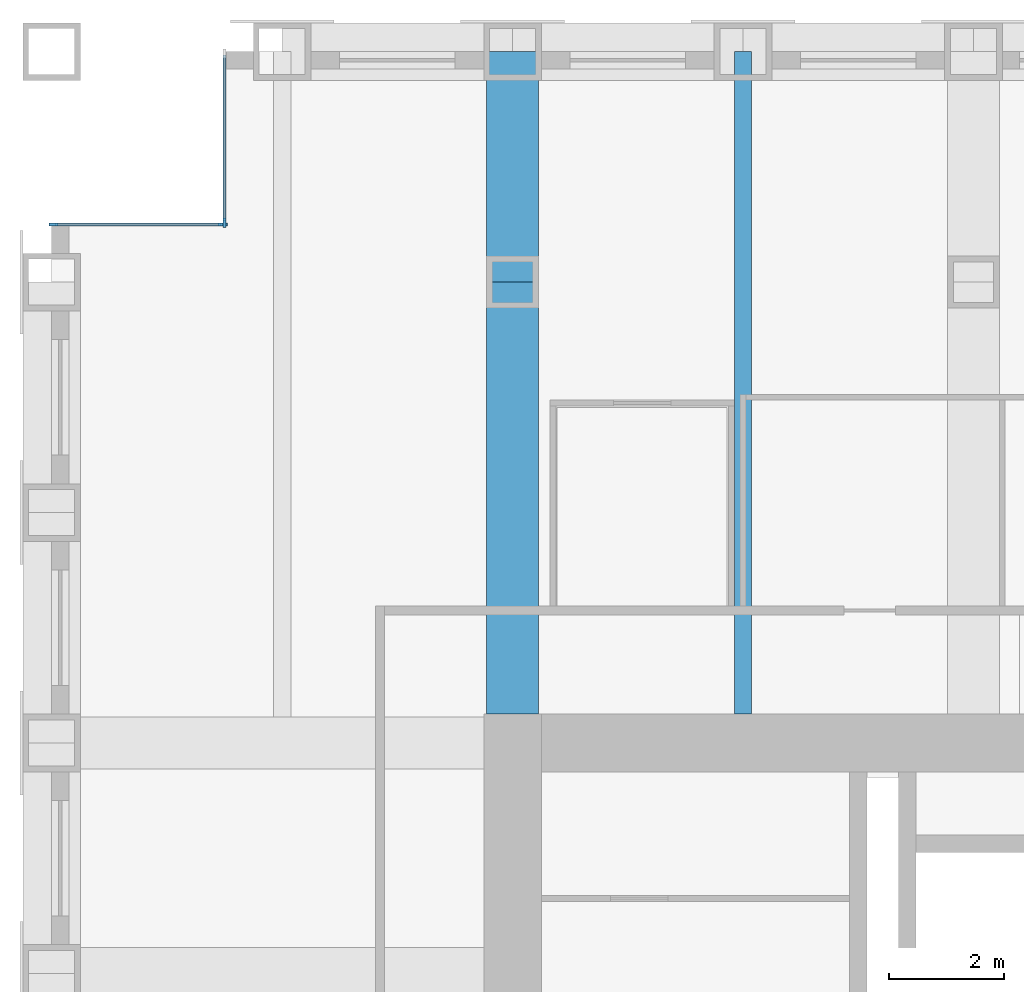
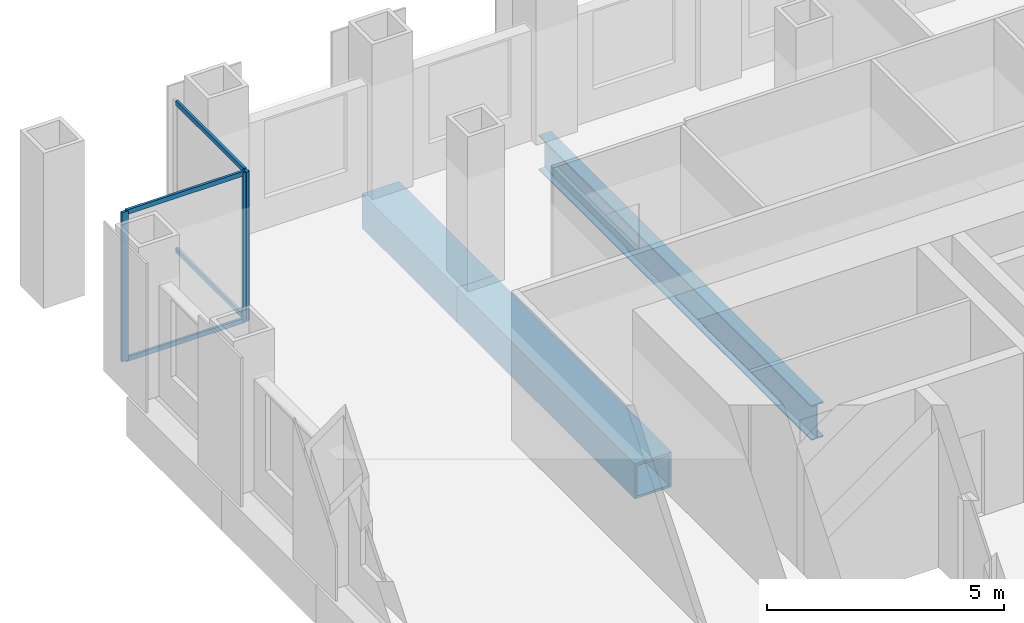
# One storey, part 6 of 16: 7 members, 3 beams, 2 elements without a shape of their own.
"""IFC4 building model written with IfcOpenShell, lengths in metres."""

from ifc_helpers import new_model, si_unit, direction, frame, origin, origin_2d, place, context, subcontext, project, spatial, rectangle, hollow_rectangle, i_section, extrude, material, material_profile, profile_set, type_object, element, aggregate, save


model = new_model("IFC4")

# Units and contexts
model_context = context("Model", 3, precision=1e-05, world=origin(), true_north=direction((0.0, 1.0)))
body_context = subcontext(model_context, "Body", "Model", "MODEL_VIEW")
ifc_project = project(units=[si_unit("LENGTHUNIT", "METRE"), si_unit("AREAUNIT", "SQUARE_METRE"), si_unit("VOLUMEUNIT", "CUBIC_METRE"), si_unit("PLANEANGLEUNIT", "RADIAN"), si_unit("MASSUNIT", "GRAM", prefix="KILO")], contexts=[model_context])

# Site, building, storey
site_placement = place(None, origin())
site = spatial("IfcSite", under=ifc_project, at=site_placement, CompositionType="ELEMENT")
building_placement = place(site_placement, origin())
building = spatial("IfcBuilding", under=site, at=building_placement, Name="Rimbunsela Tower", CompositionType="ELEMENT")
storey_placement = place(building_placement, frame((0.0, 0.0, 97.39990234375)))
storey = spatial("IfcBuildingStorey", under=building, at=storey_placement, Name="L23", CompositionType="ELEMENT", Elevation=97.39990234375)

# Beams
ifc_material_1 = material(Name="Steel BJ 55 (fy 410 MPa)", Category="steel")
ifc_material_profile_1 = material_profile(ifc_material_1, hollow_rectangle(XDim=0.89990234375, YDim=0.89990234375, WallThickness=0.06005859375, at=origin_2d()), Name="BOX 900x900x60")
ifc_profile_set_1 = profile_set([ifc_material_profile_1], Name="Steel BJ 55 (fy 410 MPa)")
beam_type_1 = type_object("IfcBeamType", Name="Beam BOX 900x900x60", PredefinedType="BEAM", material=ifc_profile_set_1)
beam_1_placement = place(storey_placement, frame((18.0, 36.5, -0.599853515625), z_axis=(0.0, 1.0, 0.0), x_axis=(-1.0, 0.0, 0.0)))
element("IfcBeam", 1, at=beam_1_placement, inside=storey, type_object=beam_type_1, Name="Beam B1 L23", PredefinedType="BEAM", context=body_context, shape_type="SweptSolid", body=[
    extrude(hollow_rectangle(XDim=0.89990234375, YDim=0.89990234375, WallThickness=0.06005859375, at=origin_2d()), origin(), (0.0, 0.0, 1.0), 7.5),
])
beam_2_placement = place(storey_placement, frame((18.0, 44.0, -0.599853515625), z_axis=(0.0, 1.0, 0.0), x_axis=(-1.0, 0.0, 0.0)))
element("IfcBeam", 2, at=beam_2_placement, inside=storey, type_object=beam_type_1, Name="Beam B1 L23", PredefinedType="BEAM", context=body_context, shape_type="SweptSolid", body=[
    extrude(hollow_rectangle(XDim=0.89990234375, YDim=0.89990234375, WallThickness=0.06005859375, at=origin_2d()), origin(), (0.0, 0.0, 1.0), 4.0),
])
ifc_material_2 = material(Name="Steel BJ 55 (fy 410 MPa)", Category="steel")
ifc_material_profile_2 = material_profile(ifc_material_2, i_section(OverallWidth=0.300048828125, OverallDepth=0.89990234375, WebThickness=0.01611328125, FlangeThickness=0.028076171875, FilletRadius=0.028076171875, at=origin_2d()), Name="H 900x300x16x28")
ifc_profile_set_2 = profile_set([ifc_material_profile_2], Name="Steel BJ 55 (fy 410 MPa)")
beam_type_2 = type_object("IfcBeamType", Name="Beam H 900x300x16x28", PredefinedType="BEAM", material=ifc_profile_set_2)
beam_3_placement = place(storey_placement, frame((22.0, 36.5, -0.599853515625), z_axis=(0.0, 1.0, 0.0), x_axis=(-1.0, 0.0, 0.0)))
element("IfcBeam", 3, at=beam_3_placement, inside=storey, type_object=beam_type_2, Name="Beam B2 L23", PredefinedType="BEAM", context=body_context, shape_type="SweptSolid", body=[
    extrude(i_section(OverallWidth=0.300048828125, OverallDepth=0.89990234375, WebThickness=0.01611328125, FlangeThickness=0.028076171875, FilletRadius=0.028076171875, at=origin_2d()), origin(), (0.0, 0.0, 1.0), 11.5),
])

# Curtain wall, member
ifc_material_3 = material(Name="Aluminium curtain wall", Category="aluminium")
curtain_wall_type = type_object("IfcCurtainWallType", Name="Corner glazing", PredefinedType="USERDEFINED", material=ifc_material_3)
curtain_wall_1_placement = place(storey_placement, origin())
curtain_wall_1 = element("IfcCurtainWall", 4, at=curtain_wall_1_placement, inside=storey, type_object=curtain_wall_type, Name="Corner glazing L23", ObjectType="CORNER GLAZING", PredefinedType="USERDEFINED")
ifc_material_4 = material(Name="Aluminium mullion", Category="aluminium")
ifc_material_profile_3 = material_profile(ifc_material_4, rectangle(XDim=0.06005859375, YDim=0.159912109375, at=origin_2d()), Name="Mullion 60x160")
ifc_profile_set_3 = profile_set([ifc_material_profile_3], Name="Aluminium mullion")
member_type_1 = type_object("IfcMemberType", Name="Curtain wall mullion 60x160", PredefinedType="MULLION", material=ifc_profile_set_3)
member_1_placement = place(storey_placement, frame((13.0, 45.030029296875, 0.0), z_axis=(0.0, 0.0, 1.0), x_axis=(1.0, 0.0, 0.0)))
member_1 = element("IfcMember", 5, at=member_1_placement, type_object=member_type_1, Name="CW5 mullion 2", PredefinedType="MULLION", context=body_context, shape_type="SweptSolid", body=[
    extrude(rectangle(XDim=0.06005859375, YDim=0.159912109375, at=origin_2d()), origin(), (0.0, 0.0, 1.0), 3.85009765625),
])

# Curtain wall, members
curtain_wall_2_placement = place(storey_placement, origin())
curtain_wall_2 = element("IfcCurtainWall", 6, at=curtain_wall_2_placement, inside=storey, type_object=curtain_wall_type, Name="Corner glazing L23", ObjectType="CORNER GLAZING", PredefinedType="USERDEFINED")
member_2_placement = place(storey_placement, frame((12.969970703125, 45.0, 0.0), z_axis=(0.0, 0.0, 1.0), x_axis=(0.0, -1.0, 0.0)))
member_2 = element("IfcMember", 7, at=member_2_placement, type_object=member_type_1, Name="CW5 mullion 1", PredefinedType="MULLION", context=body_context, shape_type="SweptSolid", body=[
    extrude(rectangle(XDim=0.06005859375, YDim=0.159912109375, at=origin_2d()), origin(), (0.0, 0.0, 1.0), 3.85009765625),
])
member_3_placement = place(storey_placement, frame((10.030029296875, 45.0, 0.0), z_axis=(0.0, 0.0, 1.0), x_axis=(0.0, -1.0, 0.0)))
member_3 = element("IfcMember", 8, at=member_3_placement, type_object=member_type_1, Name="CW5 mullion 2", PredefinedType="MULLION", context=body_context, shape_type="SweptSolid", body=[
    extrude(rectangle(XDim=0.06005859375, YDim=0.159912109375, at=origin_2d()), origin(), (0.0, 0.0, 1.0), 3.85009765625),
])

# Member
ifc_material_5 = material(Name="Aluminium transom", Category="aluminium")
ifc_material_profile_4 = material_profile(ifc_material_5, rectangle(XDim=0.06005859375, YDim=0.1201171875, at=origin_2d()), Name="Transom 60x120")
ifc_profile_set_4 = profile_set([ifc_material_profile_4], Name="Aluminium transom")
member_type_2 = type_object("IfcMemberType", Name="Curtain wall transom 60x120", PredefinedType="USERDEFINED", material=ifc_profile_set_4)
member_4_placement = place(storey_placement, frame((13.0, 47.93994140625, 0.030029296875), z_axis=(0.0, -1.0, 0.0), x_axis=(1.0, 0.0, 0.0)))
member_4 = element("IfcMember", 9, at=member_4_placement, type_object=member_type_2, Name="CW5 transom 1.1", ObjectType="TRANSOM", PredefinedType="USERDEFINED", context=body_context, shape_type="SweptSolid", body=[
    extrude(rectangle(XDim=0.06005859375, YDim=0.1201171875, at=origin_2d()), origin(), (0.0, 0.0, 1.0), 2.8798828125),
])

member_5_placement = place(storey_placement, frame((13.0, 47.93994140625, 3.820068359375), z_axis=(0.0, -1.0, 0.0), x_axis=(1.0, 0.0, 0.0)))
member_5 = element("IfcMember", 10, at=member_5_placement, type_object=member_type_2, Name="CW5 transom 1.2", ObjectType="TRANSOM", PredefinedType="USERDEFINED", context=body_context, shape_type="SweptSolid", body=[
    extrude(rectangle(XDim=0.06005859375, YDim=0.1201171875, at=origin_2d()), origin(), (0.0, 0.0, 1.0), 2.8798828125),
])

aggregate(curtain_wall_1, [member_1, member_4, member_5])

member_6_placement = place(storey_placement, frame((12.93994140625, 45.0, 0.030029296875), z_axis=(-1.0, 0.0, 0.0), x_axis=(0.0, -1.0, 0.0)))
member_6 = element("IfcMember", 11, at=member_6_placement, type_object=member_type_2, Name="CW5 transom 1.1", ObjectType="TRANSOM", PredefinedType="USERDEFINED", context=body_context, shape_type="SweptSolid", body=[
    extrude(rectangle(XDim=0.06005859375, YDim=0.1201171875, at=origin_2d()), origin(), (0.0, 0.0, 1.0), 2.8798828125),
])

member_7_placement = place(storey_placement, frame((12.93994140625, 45.0, 3.820068359375), z_axis=(-1.0, 0.0, 0.0), x_axis=(0.0, -1.0, 0.0)))
member_7 = element("IfcMember", 12, at=member_7_placement, type_object=member_type_2, Name="CW5 transom 1.2", ObjectType="TRANSOM", PredefinedType="USERDEFINED", context=body_context, shape_type="SweptSolid", body=[
    extrude(rectangle(XDim=0.06005859375, YDim=0.1201171875, at=origin_2d()), origin(), (0.0, 0.0, 1.0), 2.8798828125),
])

aggregate(curtain_wall_2, [member_2, member_3, member_6, member_7])

save(model, "model.ifc")
